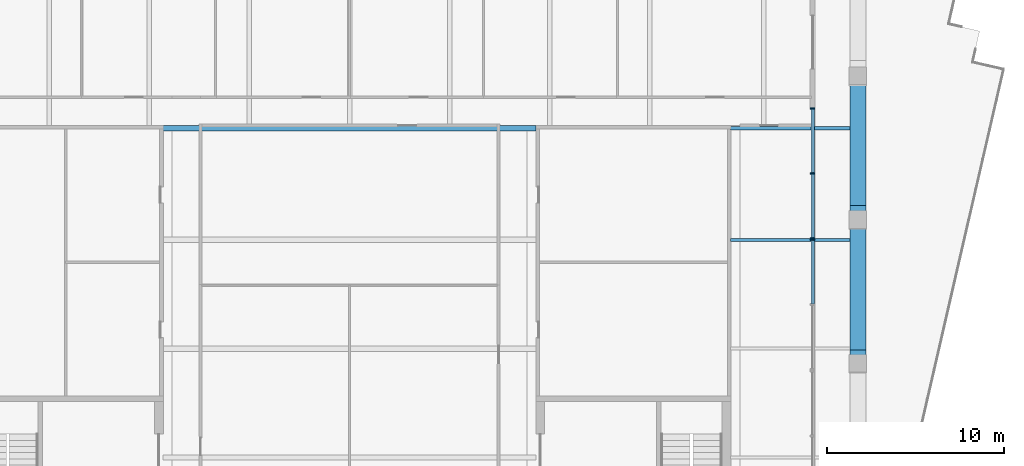
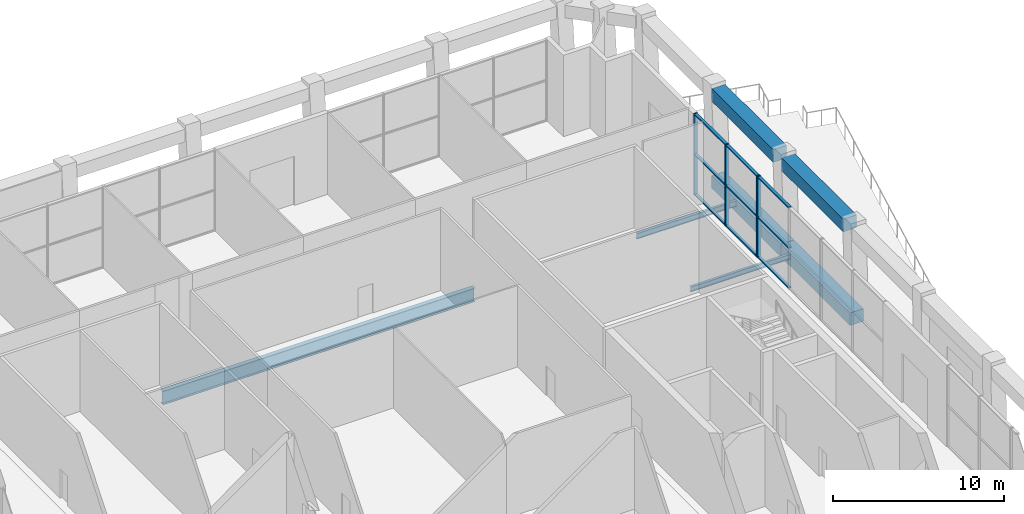
# One storey, part 6 of 20: 13 members, 7 beams, 2 elements without a shape of their own.
"""IFC4 building model written with IfcOpenShell, lengths in metres."""

import ifcopenshell
import ifcopenshell.guid

model = None  # the IFC model being written
_history = None  # IfcOwnerHistory: only IFC2X3 demands one
_inside = {}  # id of a spatial element -> (the spatial element, [elements in it])
_under = {}  # id of a project, library or spatial element -> (it, [spatial elements below it])
_declared = {}  # id of a project -> (the project, [libraries it declares])
_typed = {}  # id of a type object -> (the type object, [elements of that type])
_made_of = {}  # id of a material, layer set ... -> (it, [elements and type objects made of it])


def new_model(schema):
    """Start an empty IFC model of exactly this schema.

    Asked for "IFC4X3", IfcOpenShell would pick the latest addendum, in which some entities
    have other attributes; the version numbers below select the first issue.
    IFC2X3 requires an IfcOwnerHistory on every rooted entity: one is made here for all.
    """
    global model, _history
    if schema == "IFC4X3":
        model = ifcopenshell.file(schema_version=(4, 3, 0, 0))
    else:
        model = ifcopenshell.file(schema=schema)
    _inside.clear()
    _under.clear()
    _declared.clear()
    _typed.clear()
    _made_of.clear()
    _history = None
    if model.schema == "IFC2X3":
        org = make("IfcOrganization", Name="unknown")
        user = make(
            "IfcPersonAndOrganization",
            ThePerson=make("IfcPerson", FamilyName="unknown"),
            TheOrganization=org,
        )
        app = make(
            "IfcApplication",
            ApplicationDeveloper=org,
            Version="unknown",
            ApplicationFullName="unknown",
            ApplicationIdentifier="unknown",
        )
        _history = make(
            "IfcOwnerHistory",
            OwningUser=user,
            OwningApplication=app,
            ChangeAction="ADDED",
            CreationDate=0,
        )
    return model


def make(cls, **values):
    """One entity of the class cls with the attributes given. An attribute that is None is left unset."""
    return model.create_entity(
        cls, **{name: value for name, value in values.items() if value is not None}
    )


def rooted(cls, **values):
    """An entity with a GlobalId (a new one), such as an element, a storey or a relation."""
    return make(cls, GlobalId=ifcopenshell.guid.new(), OwnerHistory=_history, **values)


def si_unit(unit_type, name, prefix=None):
    """IfcSIUnit, for example si_unit("LENGTHUNIT", "METRE", prefix="MILLI")."""
    return make("IfcSIUnit", UnitType=unit_type, Prefix=prefix, Name=name)


def assignment(units):
    """IfcUnitAssignment: the units of a project."""
    return None if units is None else make("IfcUnitAssignment", Units=units)


def point(xyz):
    """IfcCartesianPoint."""
    return None if xyz is None else make("IfcCartesianPoint", Coordinates=xyz)


def direction(xyz):
    """IfcDirection."""
    return None if xyz is None else make("IfcDirection", DirectionRatios=xyz)


def frame(location, z_axis=None, x_axis=None):
    """IfcAxis2Placement3D, a coordinate frame: its origin and axes. An axis left out is left unset."""
    return make(
        "IfcAxis2Placement3D",
        Location=point(location),
        Axis=direction(z_axis),
        RefDirection=direction(x_axis),
    )


def frame_2d(location, x_axis=None):
    """IfcAxis2Placement2D, a coordinate frame in the plane: its origin and x axis."""
    return make(
        "IfcAxis2Placement2D", Location=point(location), RefDirection=direction(x_axis)
    )


def origin():
    """The frame at (0, 0, 0) with its axes left unset."""
    return frame((0.0, 0.0, 0.0))


def origin_2d():
    """The frame at (0, 0) in the plane with its x axis left unset."""
    return frame_2d((0.0, 0.0))


def place(relative_to, where):
    """IfcLocalPlacement: puts the frame where relative to a parent placement (None: the world)."""
    return make(
        "IfcLocalPlacement", PlacementRelTo=relative_to, RelativePlacement=where
    )


def context(
    kind, dimensions, precision=None, world=None, true_north=None, identifier=None
):
    """IfcGeometricRepresentationContext, for example the 3D "Model" context."""
    return make(
        "IfcGeometricRepresentationContext",
        ContextIdentifier=identifier,
        ContextType=kind,
        CoordinateSpaceDimension=dimensions,
        Precision=precision,
        WorldCoordinateSystem=world,
        TrueNorth=true_north,
    )


def subcontext(parent, identifier, kind, view, scale=None):
    """IfcGeometricRepresentationSubContext, for example "Body" below "Model"."""
    return make(
        "IfcGeometricRepresentationSubContext",
        ContextIdentifier=identifier,
        ContextType=kind,
        ParentContext=parent,
        TargetScale=scale,
        TargetView=view,
    )


def project(units=None, contexts=None):
    """IfcProject with its units and contexts."""
    return rooted(
        "IfcProject",
        Name="project",
        RepresentationContexts=contexts,
        UnitsInContext=assignment(units),
    )


def spatial(cls, under=None, at=None, **own):
    """A site, building, storey or space (cls), placed at a placement, below another one or the project."""
    s = rooted(cls, ObjectPlacement=at, **own)
    if under is not None:
        _under.setdefault(under.id(), (under, []))[1].append(s)
    return s


def profile(cls, at=None, kind="AREA", **sizes):
    """A parametric profile (cls). Its sizes go by their IFC names, for example OverallWidth=200.0."""
    return make(cls, ProfileType=kind, Position=at, **sizes)


def rectangle(**sizes):
    """IfcRectangleProfileDef."""
    return profile("IfcRectangleProfileDef", **sizes)


def i_section(**sizes):
    """IfcIShapeProfileDef."""
    return profile("IfcIShapeProfileDef", **sizes)


def extrude(swept, where, along, depth):
    """IfcExtrudedAreaSolid: the profile swept, set in the frame where, extruded along a direction by depth."""
    return make(
        "IfcExtrudedAreaSolid",
        SweptArea=swept,
        Position=where,
        ExtrudedDirection=direction(along),
        Depth=depth,
    )


def shape(context_of_items, identifier, shape_type, items):
    """IfcShapeRepresentation: the items that make up one representation, for example the "Body"."""
    return make(
        "IfcShapeRepresentation",
        ContextOfItems=context_of_items,
        RepresentationIdentifier=identifier,
        RepresentationType=shape_type,
        Items=items,
    )


def material(Name=None, Category=None):
    """IfcMaterial."""
    return make("IfcMaterial", Name=Name, Category=Category)


def material_profile(
    of_material, cross_section, Name=None, Category=None, Priority=None
):
    """IfcMaterialProfile: a cross section and its material."""
    return make(
        "IfcMaterialProfile",
        Name=Name,
        Material=of_material,
        Profile=cross_section,
        Priority=Priority,
        Category=Category,
    )


def profile_set(profiles, Name=None, composite=None):
    """IfcMaterialProfileSet."""
    return make(
        "IfcMaterialProfileSet",
        Name=Name,
        MaterialProfiles=profiles,
        CompositeProfile=composite,
    )


def made_of(thing, what):
    """Note that an element or type object is made of a material, layer set ...; save() writes the relation."""
    if what is not None:
        _made_of.setdefault(what.id(), (what, []))[1].append(thing)
    return thing


def type_object(cls, material=None, **own):
    """A type object (cls), such as IfcWallType, which elements share."""
    return made_of(rooted(cls, **own), material)


def element(
    cls,
    number,
    at=None,
    inside=None,
    cuts=None,
    type_object=None,
    material=None,
    context=None,
    identifier="Body",
    shape_type=None,
    held_by="IfcProductDefinitionShape",
    body=None,
    shapes=None,
    **own,
):
    """One element of the class cls, such as IfcWall. Its Tag is "e" and its number.

    at: its placement. inside: the storey or other place that contains it. cuts: it is an
    opening in that element (IfcRelVoidsElement). A single representation is given by context,
    identifier, shape_type and body (its items); several are given by shapes. held_by: the class
    of the entity that holds the representations. save() writes the other relations.
    """
    e = rooted(cls, Tag="e%d" % number, ObjectPlacement=at, **own)
    if body is not None:
        shapes = [shape(context, identifier, shape_type, body)]
    if shapes is not None:
        e.Representation = make(held_by, Representations=shapes)
    if inside is not None:
        _inside.setdefault(inside.id(), (inside, []))[1].append(e)
    if cuts is not None:
        rooted(
            "IfcRelVoidsElement", RelatingBuildingElement=cuts, RelatedOpeningElement=e
        )
    if type_object is not None:
        _typed.setdefault(type_object.id(), (type_object, []))[1].append(e)
    return made_of(e, material)


def aggregate(whole, parts):
    """IfcRelAggregates: a whole, such as a stair, and the parts it consists of."""
    return rooted("IfcRelAggregates", RelatingObject=whole, RelatedObjects=parts)


def save(model, path):
    """Write the relations noted so far, then the file.

    IfcRelAggregates (storeys below a building ...), IfcRelContainedInSpatialStructure (elements
    in a storey), IfcRelDefinesByType, IfcRelAssociatesMaterial and IfcRelDeclares: one each for
    every whole, place, type object, material and project.
    """
    for whole, parts in _under.values():
        aggregate(whole, parts)
    for where, things in _inside.values():
        rooted(
            "IfcRelContainedInSpatialStructure",
            RelatedElements=things,
            RelatingStructure=where,
        )
    for kind, things in _typed.values():
        rooted("IfcRelDefinesByType", RelatedObjects=things, RelatingType=kind)
    for what, things in _made_of.values():
        rooted("IfcRelAssociatesMaterial", RelatedObjects=things, RelatingMaterial=what)
    for by, libraries in _declared.values():
        rooted("IfcRelDeclares", RelatingContext=by, RelatedDefinitions=libraries)
    model.write(path)


model = new_model("IFC4")

# Units and contexts
model_context = context("Model", 3, precision=1e-05, world=origin(), true_north=direction((0.0, 1.0)))
body_context = subcontext(model_context, "Body", "Model", "MODEL_VIEW")
ifc_project = project(units=[si_unit("LENGTHUNIT", "METRE"), si_unit("AREAUNIT", "SQUARE_METRE"), si_unit("VOLUMEUNIT", "CUBIC_METRE"), si_unit("PLANEANGLEUNIT", "RADIAN"), si_unit("MASSUNIT", "GRAM", prefix="KILO")], contexts=[model_context])

# Site, building, storey
site_placement = place(None, origin())
site = spatial("IfcSite", under=ifc_project, at=site_placement, CompositionType="ELEMENT")
building_placement = place(site_placement, origin())
building = spatial("IfcBuilding", under=site, at=building_placement, Name="Ogive Exchange Tower", CompositionType="ELEMENT")
storey_placement = place(building_placement, frame((0.0, 0.0, 303.0)))
storey = spatial("IfcBuildingStorey", under=building, at=storey_placement, Name="L66", CompositionType="ELEMENT", Elevation=303.0)

# Beams
ifc_material_1 = material(Name="Steel ASTM A992 Gr50", Category="steel")
ifc_material_profile_1 = material_profile(ifc_material_1, i_section(OverallWidth=0.1708984375, OverallDepth=0.35595703125, WebThickness=0.00732421875, FlangeThickness=0.01171875, at=origin_2d()), Name="W360x51")
ifc_profile_set_1 = profile_set([ifc_material_profile_1], Name="Steel ASTM A992 Gr50")
beam_type_1 = type_object("IfcBeamType", Name="Floor beam W360x51", PredefinedType="JOIST", material=ifc_profile_set_1)
beam_1_placement = place(storey_placement, frame((21.47998046875, 34.55615234375, -0.6279296875), z_axis=(1.0, 0.0, 0.0), x_axis=(0.0, 1.0, 0.0)))
element("IfcBeam", 1, at=beam_1_placement, inside=storey, type_object=beam_type_1, Name="Floor beam", PredefinedType="JOIST", context=body_context, shape_type="SweptSolid", body=[
    extrude(i_section(OverallWidth=0.1708984375, OverallDepth=0.35595703125, WebThickness=0.00732421875, FlangeThickness=0.01171875, at=origin_2d()), origin(), (0.0, 0.0, 1.0), 6.719970703125),
])
ifc_material_profile_2 = material_profile(ifc_material_1, i_section(OverallWidth=0.300048828125, OverallDepth=0.97998046875, WebThickness=0.0166015625, FlangeThickness=0.026123046875, at=origin_2d()), Name="W1000x249")
ifc_profile_set_2 = profile_set([ifc_material_profile_2], Name="Steel ASTM A992 Gr50")
beam_type_2 = type_object("IfcBeamType", Name="Girder W1000x249", PredefinedType="BEAM", material=ifc_profile_set_2)
beam_2_placement = place(storey_placement, frame((-10.52001953125, 40.844970703125, -0.93994140625), z_axis=(1.0, 0.0, 0.0), x_axis=(0.0, 1.0, 0.0)))
element("IfcBeam", 2, at=beam_2_placement, inside=storey, type_object=beam_type_2, Name="Header girder", PredefinedType="BEAM", context=body_context, shape_type="SweptSolid", body=[
    extrude(i_section(OverallWidth=0.300048828125, OverallDepth=0.97998046875, WebThickness=0.0166015625, FlangeThickness=0.026123046875, at=origin_2d()), origin(), (0.0, 0.0, 1.0), 21.0400390625),
])
ifc_material_profile_3 = material_profile(ifc_material_1, i_section(OverallWidth=0.177978515625, OverallDepth=0.406005859375, WebThickness=0.0078125, FlangeThickness=0.0126953125, at=origin_2d()), Name="W410x60")
ifc_profile_set_3 = profile_set([ifc_material_profile_3], Name="Steel ASTM A992 Gr50")
beam_type_3 = type_object("IfcBeamType", Name="Girder W410x60", PredefinedType="BEAM", material=ifc_profile_set_3)
beam_3_placement = place(storey_placement, frame((21.47998046875, 40.844970703125, -0.653076171875), z_axis=(1.0, 0.0, 0.0), x_axis=(0.0, 1.0, 0.0)))
element("IfcBeam", 3, at=beam_3_placement, inside=storey, type_object=beam_type_3, Name="Header girder", PredefinedType="BEAM", context=body_context, shape_type="SweptSolid", body=[
    extrude(i_section(OverallWidth=0.177978515625, OverallDepth=0.406005859375, WebThickness=0.0078125, FlangeThickness=0.0126953125, at=origin_2d()), origin(), (0.0, 0.0, 1.0), 6.719970703125),
])
ifc_material_2 = material(Name="Precast concrete C70/85 (limestone faced)", Category="masonry")
ifc_material_profile_4 = material_profile(ifc_material_2, rectangle(XDim=0.89990234375, YDim=0.89990234375, at=origin_2d()), Name="900 x 900")
ifc_profile_set_4 = profile_set([ifc_material_profile_4], Name="Precast concrete C70/85 (limestone faced)")
beam_type_4 = type_object("IfcBeamType", Name="Precast spandrel 900 x 900 C70/85", PredefinedType="SPANDREL", material=ifc_profile_set_4)
for number, where, z_axis, x_axis, name in (
    (4, (28.64990234375, 28.33447265625, 5.300048828125), (0.0, 1.0, 0.0), (-1.0, 0.0, 0.0), "Spandrel 13"),
    (5, (28.64990234375, 36.498291015625, 5.300048828125), (0.0, 1.0, 0.0), (-1.0, 0.0, 0.0), "Spandrel 14"),
):
    element("IfcBeam", number, at=place(storey_placement, frame(where, z_axis=z_axis, x_axis=x_axis)), inside=storey, type_object=beam_type_4, Name=name, PredefinedType="SPANDREL", context=body_context, shape_type="SweptSolid", body=[
        extrude(rectangle(XDim=0.89990234375, YDim=0.89990234375, at=origin_2d()), origin(), (0.0, 0.0, 1.0), 7.20361328125),
    ])
ifc_material_profile_5 = material_profile(ifc_material_2, rectangle(XDim=0.89990234375, YDim=0.89990234375, at=origin_2d()), Name="900 x 900")
ifc_profile_set_5 = profile_set([ifc_material_profile_5], Name="Precast concrete C70/85 (limestone faced)")
beam_type_5 = type_object("IfcBeamType", Name="Precast transfer girder 900 x 900 C70/85", PredefinedType="BEAM", material=ifc_profile_set_5)
for number, where, z_axis, x_axis, name in (
    (6, (28.64990234375, 27.54296875, -0.89990234375), (0.0, 1.0, 0.0), (-1.0, 0.0, 0.0), "Transfer girder 13"),
    (7, (28.64990234375, 35.628662109375, -0.89990234375), (0.0, 1.0, 0.0), (-1.0, 0.0, 0.0), "Transfer girder 14"),
):
    element("IfcBeam", number, at=place(storey_placement, frame(where, z_axis=z_axis, x_axis=x_axis)), inside=storey, type_object=beam_type_5, Name=name, PredefinedType="BEAM", context=body_context, shape_type="SweptSolid", body=[
        extrude(rectangle(XDim=0.89990234375, YDim=0.89990234375, at=origin_2d()), origin(), (0.0, 0.0, 1.0), 8.085693359375),
    ])

# Curtain wall, member
ifc_material_3 = material(Name="Anodised aluminium and clear glass", Category="aluminium")
curtain_wall_type = type_object("IfcCurtainWallType", Name="Winter garden glazing", PredefinedType="NOTDEFINED", material=ifc_material_3)
curtain_wall_1_placement = place(storey_placement, origin())
curtain_wall_1 = element("IfcCurtainWall", 8, at=curtain_wall_1_placement, inside=storey, type_object=curtain_wall_type, Name="Winter garden glazing run G11", PredefinedType="NOTDEFINED")
ifc_material_4 = material(Name="Anodised aluminium", Category="aluminium")
ifc_material_profile_6 = material_profile(ifc_material_4, rectangle(XDim=0.239990234375, YDim=0.080078125, at=origin_2d()), Name="AL 80x240")
ifc_profile_set_6 = profile_set([ifc_material_profile_6], Name="Anodised aluminium")
member_type_1 = type_object("IfcMemberType", Name="Winter garden glazing mullion 80 x 240", PredefinedType="MULLION", material=ifc_profile_set_6)
member_1_placement = place(storey_placement, frame((26.10009765625, 34.56005859375, 0.0), z_axis=(0.0, 0.0, 1.0), x_axis=(-1.0, 0.0, 0.0)))
member_1 = element("IfcMember", 9, at=member_1_placement, type_object=member_type_1, Name="G11 mullion 3", PredefinedType="MULLION", context=body_context, shape_type="SweptSolid", body=[
    extrude(rectangle(XDim=0.239990234375, YDim=0.080078125, at=origin_2d()), origin(), (0.0, 0.0, 1.0), 5.800048828125),
])

# Curtain wall, members
curtain_wall_2_placement = place(storey_placement, origin())
curtain_wall_2 = element("IfcCurtainWall", 10, at=curtain_wall_2_placement, inside=storey, type_object=curtain_wall_type, Name="Winter garden glazing run G12", PredefinedType="NOTDEFINED")
member_2_placement = place(storey_placement, frame((26.10009765625, 34.639892578125, 0.0), z_axis=(0.0, 0.0, 1.0), x_axis=(-1.0, 0.0, 0.0)))
member_2 = element("IfcMember", 11, at=member_2_placement, type_object=member_type_1, Name="G12 mullion 1", PredefinedType="MULLION", context=body_context, shape_type="SweptSolid", body=[
    extrude(rectangle(XDim=0.239990234375, YDim=0.080078125, at=origin_2d()), origin(), (0.0, 0.0, 1.0), 5.800048828125),
])
member_3_placement = place(storey_placement, frame((26.10009765625, 38.300048828125, 0.0), z_axis=(0.0, 0.0, 1.0), x_axis=(-1.0, 0.0, 0.0)))
member_3 = element("IfcMember", 12, at=member_3_placement, type_object=member_type_1, Name="G12 mullion 2", PredefinedType="MULLION", context=body_context, shape_type="SweptSolid", body=[
    extrude(rectangle(XDim=0.239990234375, YDim=0.080078125, at=origin_2d()), origin(), (0.0, 0.0, 1.0), 5.800048828125),
])
member_4_placement = place(storey_placement, frame((26.10009765625, 41.9599609375, 0.0), z_axis=(0.0, 0.0, 1.0), x_axis=(-1.0, 0.0, 0.0)))
member_4 = element("IfcMember", 13, at=member_4_placement, type_object=member_type_1, Name="G12 mullion 3", PredefinedType="MULLION", context=body_context, shape_type="SweptSolid", body=[
    extrude(rectangle(XDim=0.239990234375, YDim=0.080078125, at=origin_2d()), origin(), (0.0, 0.0, 1.0), 5.800048828125),
])

# Member
ifc_material_profile_7 = material_profile(ifc_material_4, rectangle(XDim=0.199951171875, YDim=0.080078125, at=origin_2d()), Name="AL 80x200")
ifc_profile_set_7 = profile_set([ifc_material_profile_7], Name="Anodised aluminium")
member_type_2 = type_object("IfcMemberType", Name="Winter garden glazing transom 80 x 200", PredefinedType="USERDEFINED", material=ifc_profile_set_7)
member_5_placement = place(storey_placement, frame((26.10009765625, 30.93994140625, 0.0400390625), z_axis=(0.0, 1.0, 0.0), x_axis=(-1.0, 0.0, 0.0)))
member_5 = element("IfcMember", 14, at=member_5_placement, type_object=member_type_2, Name="G11 transom 2.1", ObjectType="TRANSOM", PredefinedType="USERDEFINED", context=body_context, shape_type="SweptSolid", body=[
    extrude(rectangle(XDim=0.199951171875, YDim=0.080078125, at=origin_2d()), origin(), (0.0, 0.0, 1.0), 3.580078125),
])

member_6_placement = place(storey_placement, frame((26.10009765625, 30.93994140625, 2.89990234375), z_axis=(0.0, 1.0, 0.0), x_axis=(-1.0, 0.0, 0.0)))
member_6 = element("IfcMember", 15, at=member_6_placement, type_object=member_type_2, Name="G11 transom 2.2", ObjectType="TRANSOM", PredefinedType="USERDEFINED", context=body_context, shape_type="SweptSolid", body=[
    extrude(rectangle(XDim=0.199951171875, YDim=0.080078125, at=origin_2d()), origin(), (0.0, 0.0, 1.0), 3.580078125),
])

member_7_placement = place(storey_placement, frame((26.10009765625, 30.93994140625, 5.760009765625), z_axis=(0.0, 1.0, 0.0), x_axis=(-1.0, 0.0, 0.0)))
member_7 = element("IfcMember", 16, at=member_7_placement, type_object=member_type_2, Name="G11 transom 2.3", ObjectType="TRANSOM", PredefinedType="USERDEFINED", context=body_context, shape_type="SweptSolid", body=[
    extrude(rectangle(XDim=0.199951171875, YDim=0.080078125, at=origin_2d()), origin(), (0.0, 0.0, 1.0), 3.580078125),
])

aggregate(curtain_wall_1, [member_1, member_5, member_6, member_7])

member_8_placement = place(storey_placement, frame((26.10009765625, 34.679931640625, 0.0400390625), z_axis=(0.0, 1.0, 0.0), x_axis=(-1.0, 0.0, 0.0)))
member_8 = element("IfcMember", 17, at=member_8_placement, type_object=member_type_2, Name="G12 transom 1.1", ObjectType="TRANSOM", PredefinedType="USERDEFINED", context=body_context, shape_type="SweptSolid", body=[
    extrude(rectangle(XDim=0.199951171875, YDim=0.080078125, at=origin_2d()), origin(), (0.0, 0.0, 1.0), 3.580078125),
])

member_9_placement = place(storey_placement, frame((26.10009765625, 34.679931640625, 2.89990234375), z_axis=(0.0, 1.0, 0.0), x_axis=(-1.0, 0.0, 0.0)))
member_9 = element("IfcMember", 18, at=member_9_placement, type_object=member_type_2, Name="G12 transom 1.2", ObjectType="TRANSOM", PredefinedType="USERDEFINED", context=body_context, shape_type="SweptSolid", body=[
    extrude(rectangle(XDim=0.199951171875, YDim=0.080078125, at=origin_2d()), origin(), (0.0, 0.0, 1.0), 3.580078125),
])

member_10_placement = place(storey_placement, frame((26.10009765625, 34.679931640625, 5.760009765625), z_axis=(0.0, 1.0, 0.0), x_axis=(-1.0, 0.0, 0.0)))
member_10 = element("IfcMember", 19, at=member_10_placement, type_object=member_type_2, Name="G12 transom 1.3", ObjectType="TRANSOM", PredefinedType="USERDEFINED", context=body_context, shape_type="SweptSolid", body=[
    extrude(rectangle(XDim=0.199951171875, YDim=0.080078125, at=origin_2d()), origin(), (0.0, 0.0, 1.0), 3.580078125),
])

member_11_placement = place(storey_placement, frame((26.10009765625, 38.340087890625, 0.0400390625), z_axis=(0.0, 1.0, 0.0), x_axis=(-1.0, 0.0, 0.0)))
member_11 = element("IfcMember", 20, at=member_11_placement, type_object=member_type_2, Name="G12 transom 2.1", ObjectType="TRANSOM", PredefinedType="USERDEFINED", context=body_context, shape_type="SweptSolid", body=[
    extrude(rectangle(XDim=0.199951171875, YDim=0.080078125, at=origin_2d()), origin(), (0.0, 0.0, 1.0), 3.579833984375),
])

member_12_placement = place(storey_placement, frame((26.10009765625, 38.340087890625, 2.89990234375), z_axis=(0.0, 1.0, 0.0), x_axis=(-1.0, 0.0, 0.0)))
member_12 = element("IfcMember", 21, at=member_12_placement, type_object=member_type_2, Name="G12 transom 2.2", ObjectType="TRANSOM", PredefinedType="USERDEFINED", context=body_context, shape_type="SweptSolid", body=[
    extrude(rectangle(XDim=0.199951171875, YDim=0.080078125, at=origin_2d()), origin(), (0.0, 0.0, 1.0), 3.579833984375),
])

member_13_placement = place(storey_placement, frame((26.10009765625, 38.340087890625, 5.760009765625), z_axis=(0.0, 1.0, 0.0), x_axis=(-1.0, 0.0, 0.0)))
member_13 = element("IfcMember", 22, at=member_13_placement, type_object=member_type_2, Name="G12 transom 2.3", ObjectType="TRANSOM", PredefinedType="USERDEFINED", context=body_context, shape_type="SweptSolid", body=[
    extrude(rectangle(XDim=0.199951171875, YDim=0.080078125, at=origin_2d()), origin(), (0.0, 0.0, 1.0), 3.579833984375),
])

aggregate(curtain_wall_2, [member_2, member_3, member_4, member_8, member_9, member_10, member_11, member_12, member_13])

save(model, "model.ifc")
